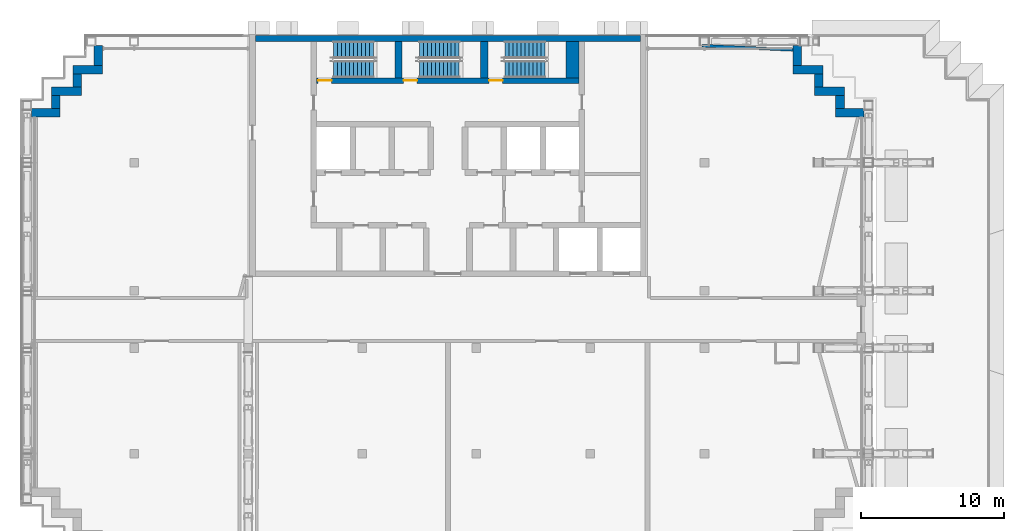
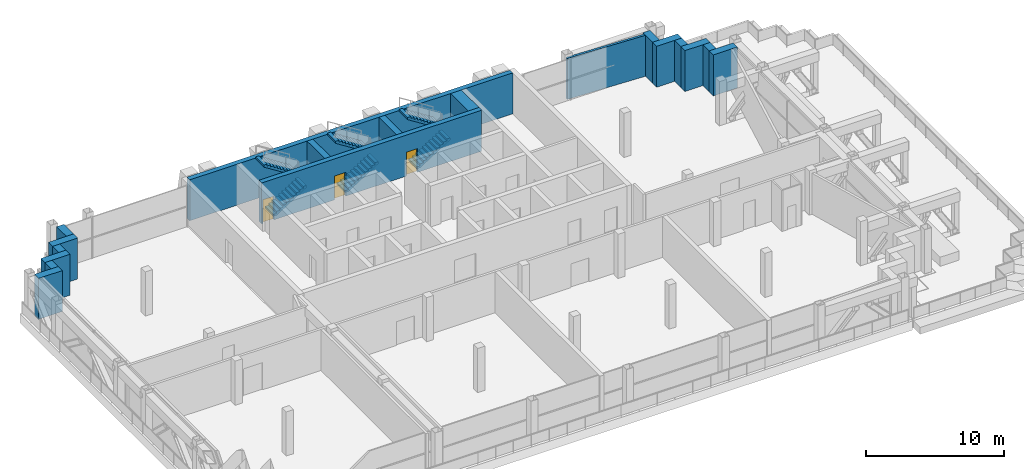
# One storey, part 9 of 21: 18 walls, 6 stair flights, 3 doors, 3 openings, 3 elements without a shape of their own.
"""IFC4 building model written with IfcOpenShell, lengths in metres."""

from ifc_helpers import new_model, si_unit, direction, frame, frame_2d, origin, place, context, subcontext, project, spatial, polyline, rectangle, outline, extrude, material, layer, layer_set, type_object, element, fill, aggregate, save


model = new_model("IFC4")

# Units and contexts
model_context = context("Model", 3, precision=1e-05, world=origin(), true_north=direction((0.0, 1.0)))
body_context = subcontext(model_context, "Body", "Model", "MODEL_VIEW")
ifc_project = project(units=[si_unit("LENGTHUNIT", "METRE"), si_unit("AREAUNIT", "SQUARE_METRE"), si_unit("VOLUMEUNIT", "CUBIC_METRE"), si_unit("PLANEANGLEUNIT", "RADIAN"), si_unit("MASSUNIT", "GRAM", prefix="KILO")], contexts=[model_context])

# Site, building, storey
site_placement = place(None, origin())
site = spatial("IfcSite", under=ifc_project, at=site_placement, CompositionType="ELEMENT")
building_placement = place(site_placement, origin())
building = spatial("IfcBuilding", under=site, at=building_placement, Name="Vidyagriha Tower", CompositionType="ELEMENT")
storey_placement = place(building_placement, frame((0.0, 0.0, 203.699951171875)))
storey = spatial("IfcBuildingStorey", under=building, at=storey_placement, Name="L52", CompositionType="ELEMENT", Elevation=203.699951171875)

# Walls
ifc_material_1 = material(Name="Precast concrete C40/50 with brick facing", Category="concrete")
ifc_layer_1 = layer(ifc_material_1, 0.60009765625)
ifc_layer_set_1 = layer_set([ifc_layer_1], Name="Precast concrete C40/50 with brick facing")
wall_type_1 = type_object("IfcWallType", Name="Brick-faced precast wall 600", PredefinedType="STANDARD", material=ifc_layer_set_1)
wall_1_placement = place(storey_placement, frame((29.199951171875, 14.5, 0.0), z_axis=(0.0, 0.0, 1.0), x_axis=(-1.0, 0.0, 0.0)))
element("IfcWall", 1, at=wall_1_placement, inside=storey, type_object=wall_type_1, Name="Stepped corner wall L52 R01", PredefinedType="STANDARD", context=body_context, shape_type="SweptSolid", body=[
    extrude(rectangle(XDim=2.0, YDim=0.60009765625, at=frame_2d((1.0, 0.0))), origin(), (0.0, 0.0, 1.0), 3.6201171875),
])
wall_2_placement = place(storey_placement, frame((27.5, 14.800048828125, 0.0), z_axis=(0.0, 0.0, 1.0), x_axis=(0.0, 1.0, 0.0)))
element("IfcWall", 2, at=wall_2_placement, inside=storey, type_object=wall_type_1, Name="Stepped corner wall L52 R02", PredefinedType="STANDARD", context=body_context, shape_type="SweptSolid", body=[
    extrude(rectangle(XDim=0.89990234375, YDim=0.60009765625, at=frame_2d((0.449951171875, 0.0))), origin(), (0.0, 0.0, 1.0), 3.6201171875),
])
wall_3_placement = place(storey_placement, frame((27.800048828125, 16.0, 0.0), z_axis=(0.0, 0.0, 1.0), x_axis=(-1.0, 0.0, 0.0)))
element("IfcWall", 3, at=wall_3_placement, inside=storey, type_object=wall_type_1, Name="Stepped corner wall L52 R03", PredefinedType="STANDARD", context=body_context, shape_type="SweptSolid", body=[
    extrude(rectangle(XDim=2.10009765625, YDim=0.60009765625, at=frame_2d((1.050048828125, 0.0))), origin(), (0.0, 0.0, 1.0), 3.6201171875),
])
wall_4_placement = place(storey_placement, frame((26.0, 16.300048828125, 0.0), z_axis=(0.0, 0.0, 1.0), x_axis=(0.0, 1.0, 0.0)))
element("IfcWall", 4, at=wall_4_placement, inside=storey, type_object=wall_type_1, Name="Stepped corner wall L52 R04", PredefinedType="STANDARD", context=body_context, shape_type="SweptSolid", body=[
    extrude(rectangle(XDim=0.89990234375, YDim=0.60009765625, at=frame_2d((0.449951171875, 0.0))), origin(), (0.0, 0.0, 1.0), 3.6201171875),
])
wall_5_placement = place(storey_placement, frame((26.300048828125, 17.5, 0.0), z_axis=(0.0, 0.0, 1.0), x_axis=(-1.0, 0.0, 0.0)))
element("IfcWall", 5, at=wall_5_placement, inside=storey, type_object=wall_type_1, Name="Stepped corner wall L52 R05", PredefinedType="STANDARD", context=body_context, shape_type="SweptSolid", body=[
    extrude(rectangle(XDim=2.10009765625, YDim=0.60009765625, at=frame_2d((1.050048828125, 0.0))), origin(), (0.0, 0.0, 1.0), 3.6201171875),
])
for number, where, z_axis, x_axis, name in (
    (6, (24.5, 17.800048828125, 0.0), (0.0, 0.0, 1.0), (0.0, 1.0, 0.0), "Stepped corner wall L52 R06"),
    (7, (-24.5, 19.199951171875, 0.0), (0.0, 0.0, 1.0), (0.0, -1.0, 0.0), "Stepped corner wall L52 R10"),
):
    element("IfcWall", number, at=place(storey_placement, frame(where, z_axis=z_axis, x_axis=x_axis)), inside=storey, type_object=wall_type_1, Name=name, PredefinedType="STANDARD", context=body_context, shape_type="SweptSolid", body=[
        extrude(rectangle(XDim=1.39990234375, YDim=0.60009765625, at=frame_2d((0.699951171875, 0.0))), origin(), (0.0, 0.0, 1.0), 3.6201171875),
    ])
wall_6_placement = place(storey_placement, frame((-24.199951171875, 17.5, 0.0), z_axis=(0.0, 0.0, 1.0), x_axis=(-1.0, 0.0, 0.0)))
element("IfcWall", 8, at=wall_6_placement, inside=storey, type_object=wall_type_1, Name="Stepped corner wall L52 R11", PredefinedType="STANDARD", context=body_context, shape_type="SweptSolid", body=[
    extrude(rectangle(XDim=2.10009765625, YDim=0.60009765625, at=frame_2d((1.050048828125, 0.0))), origin(), (0.0, 0.0, 1.0), 3.6201171875),
])
wall_7_placement = place(storey_placement, frame((-26.0, 17.199951171875, 0.0), z_axis=(0.0, 0.0, 1.0), x_axis=(0.0, -1.0, 0.0)))
element("IfcWall", 9, at=wall_7_placement, inside=storey, type_object=wall_type_1, Name="Stepped corner wall L52 R12", PredefinedType="STANDARD", context=body_context, shape_type="SweptSolid", body=[
    extrude(rectangle(XDim=0.89990234375, YDim=0.60009765625, at=frame_2d((0.449951171875, 0.0))), origin(), (0.0, 0.0, 1.0), 3.6201171875),
])
wall_8_placement = place(storey_placement, frame((-25.699951171875, 16.0, 0.0), z_axis=(0.0, 0.0, 1.0), x_axis=(-1.0, 0.0, 0.0)))
element("IfcWall", 10, at=wall_8_placement, inside=storey, type_object=wall_type_1, Name="Stepped corner wall L52 R13", PredefinedType="STANDARD", context=body_context, shape_type="SweptSolid", body=[
    extrude(rectangle(XDim=2.10009765625, YDim=0.60009765625, at=frame_2d((1.050048828125, 0.0))), origin(), (0.0, 0.0, 1.0), 3.6201171875),
])
wall_9_placement = place(storey_placement, frame((-27.5, 15.699951171875, 0.0), z_axis=(0.0, 0.0, 1.0), x_axis=(0.0, -1.0, 0.0)))
element("IfcWall", 11, at=wall_9_placement, inside=storey, type_object=wall_type_1, Name="Stepped corner wall L52 R14", PredefinedType="STANDARD", context=body_context, shape_type="SweptSolid", body=[
    extrude(rectangle(XDim=0.89990234375, YDim=0.60009765625, at=frame_2d((0.449951171875, 0.0))), origin(), (0.0, 0.0, 1.0), 3.6201171875),
])
wall_10_placement = place(storey_placement, frame((-27.199951171875, 14.5, 0.0), z_axis=(0.0, 0.0, 1.0), x_axis=(-1.0, 0.0, 0.0)))
element("IfcWall", 12, at=wall_10_placement, inside=storey, type_object=wall_type_1, Name="Stepped corner wall L52 R15", PredefinedType="STANDARD", context=body_context, shape_type="SweptSolid", body=[
    extrude(rectangle(XDim=2.0, YDim=0.60009765625, at=frame_2d((1.0, 0.0))), origin(), (0.0, 0.0, 1.0), 3.6201171875),
])
ifc_material_2 = material(Name="Concrete C60/75", Category="concrete")
ifc_layer_2 = layer(ifc_material_2, 0.39990234375)
ifc_layer_set_2 = layer_set([ifc_layer_2], Name="Concrete C60/75")
wall_type_2 = type_object("IfcWallType", Name="Core shear wall 400 mm", PredefinedType="SHEAR", material=ifc_layer_set_2)
wall_11_placement = place(storey_placement, frame((-13.5, 19.699951171875, 0.0)))
element("IfcWall", 13, at=wall_11_placement, inside=storey, type_object=wall_type_2, Name="Core north wall", PredefinedType="SHEAR", context=body_context, shape_type="SweptSolid", body=[
    extrude(rectangle(XDim=27.0, YDim=0.39990234375, at=frame_2d((13.5, 0.0))), origin(), (0.0, 0.0, 1.0), 3.6201171875),
])

# Wall, openings, doors
wall_12_placement = place(storey_placement, frame((-9.199951171875, 16.75, 0.0)))
wall_12 = element("IfcWall", 14, at=wall_12_placement, inside=storey, type_object=wall_type_2, Name="Stair front wall", PredefinedType="SHEAR", context=body_context, shape_type="SweptSolid", body=[
    extrude(rectangle(XDim=18.39990234375, YDim=0.39990234375, at=frame_2d((9.199951171875, 0.0))), origin(), (0.0, 0.0, 1.0), 3.6201171875),
])
opening_1_placement = place(wall_12_placement, frame((0.10009765625, 0.0, 0.0)))
opening_1 = element("IfcOpeningElement", 15, at=opening_1_placement, cuts=wall_12, Name="Opening D52-11", PredefinedType="OPENING", context=body_context, shape_type="SweptSolid", body=[
    extrude(rectangle(XDim=0.949951171875, YDim=2.10009765625, at=frame_2d((0.47509765625, 1.050048828125))), frame((0.0, 0.2099609375, 0.0), z_axis=(0.0, -1.0, 0.0), x_axis=(1.0, 0.0, 0.0)), (0.0, 0.0, 1.0), 0.419921875),
])
opening_2_placement = place(wall_12_placement, frame((6.10009765625, 0.0, 0.0)))
opening_2 = element("IfcOpeningElement", 16, at=opening_2_placement, cuts=wall_12, Name="Opening D52-12", PredefinedType="OPENING", context=body_context, shape_type="SweptSolid", body=[
    extrude(rectangle(XDim=0.949951171875, YDim=2.10009765625, at=frame_2d((0.47509765625, 1.050048828125))), frame((0.0, 0.2099609375, 0.0), z_axis=(0.0, -1.0, 0.0), x_axis=(1.0, 0.0, 0.0)), (0.0, 0.0, 1.0), 0.419921875),
])
opening_3_placement = place(wall_12_placement, frame((12.10009765625, 0.0, 0.0)))
opening_3 = element("IfcOpeningElement", 17, at=opening_3_placement, cuts=wall_12, Name="Opening D52-13", PredefinedType="OPENING", context=body_context, shape_type="SweptSolid", body=[
    extrude(rectangle(XDim=0.949951171875, YDim=2.10009765625, at=frame_2d((0.47509765625, 1.050048828125))), frame((0.0, 0.2099609375, 0.0), z_axis=(0.0, -1.0, 0.0), x_axis=(1.0, 0.0, 0.0)), (0.0, 0.0, 1.0), 0.419921875),
])
ifc_material_3 = material(Name="Hollow metal door leaf")
door_type = type_object("IfcDoorType", Name="Exit stair door 950 x 2100 mm EI 90", OperationType="NOTDEFINED", PredefinedType="DOOR", material=ifc_material_3)
door_1_placement = place(opening_1_placement, origin())
door_1 = element("IfcDoor", 18, at=door_1_placement, inside=storey, type_object=door_type, Name="Stair door ST1 L52", OperationType="SINGLE_SWING_LEFT", OverallHeight=2.10009765625, OverallWidth=0.949951171875, PredefinedType="DOOR", context=body_context, shape_type="SweptSolid", body=[
    extrude(rectangle(XDim=0.949951171875, YDim=2.10009765625, at=frame_2d((0.47509765625, 1.050048828125))), frame((0.0, 0.02490234375, 0.0), z_axis=(0.0, -1.0, 0.0), x_axis=(1.0, 0.0, 0.0)), (0.0, 0.0, 1.0), 0.050048828125),
])
fill(opening_1, door_1)
door_2_placement = place(opening_2_placement, origin())
door_2 = element("IfcDoor", 19, at=door_2_placement, inside=storey, type_object=door_type, Name="Stair door ST2 L52", OperationType="SINGLE_SWING_LEFT", OverallHeight=2.10009765625, OverallWidth=0.949951171875, PredefinedType="DOOR", context=body_context, shape_type="SweptSolid", body=[
    extrude(rectangle(XDim=0.949951171875, YDim=2.10009765625, at=frame_2d((0.47509765625, 1.050048828125))), frame((0.0, 0.02490234375, 0.0), z_axis=(0.0, -1.0, 0.0), x_axis=(1.0, 0.0, 0.0)), (0.0, 0.0, 1.0), 0.050048828125),
])
fill(opening_2, door_2)
door_3_placement = place(opening_3_placement, origin())
door_3 = element("IfcDoor", 20, at=door_3_placement, inside=storey, type_object=door_type, Name="Stair door ST3 L52", OperationType="SINGLE_SWING_LEFT", OverallHeight=2.10009765625, OverallWidth=0.949951171875, PredefinedType="DOOR", context=body_context, shape_type="SweptSolid", body=[
    extrude(rectangle(XDim=0.949951171875, YDim=2.10009765625, at=frame_2d((0.47509765625, 1.050048828125))), frame((0.0, 0.02490234375, 0.0), z_axis=(0.0, -1.0, 0.0), x_axis=(1.0, 0.0, 0.0)), (0.0, 0.0, 1.0), 0.050048828125),
])
fill(opening_3, door_3)

# Walls
ifc_material_4 = material(Name="Concrete C60/75", Category="concrete")
ifc_layer_3 = layer(ifc_material_4, 0.5)
ifc_layer_set_3 = layer_set([ifc_layer_3], Name="Concrete C60/75")
wall_type_3 = type_object("IfcWallType", Name="Core shear wall 500 mm", PredefinedType="SHEAR", material=ifc_layer_set_3)
for number, where, z_axis, x_axis, name in (
    (21, (-3.449951171875, 16.949951171875, 0.0), (0.0, 0.0, 1.0), (0.0, 1.0, 0.0), "Stair partition wall 1"),
    (22, (2.550048828125, 16.949951171875, 0.0), (0.0, 0.0, 1.0), (0.0, 1.0, 0.0), "Stair partition wall 2"),
):
    element("IfcWall", number, at=place(storey_placement, frame(where, z_axis=z_axis, x_axis=x_axis)), inside=storey, type_object=wall_type_3, Name=name, PredefinedType="SHEAR", context=body_context, shape_type="SweptSolid", body=[
        extrude(rectangle(XDim=2.550048828125, YDim=0.5, at=frame_2d((1.27490234375, 0.0))), origin(), (0.0, 0.0, 1.0), 3.6201171875),
    ])
ifc_material_5 = material(Name="Concrete C60/75", Category="concrete")
ifc_layer_4 = layer(ifc_material_5, 0.89990234375)
ifc_layer_set_4 = layer_set([ifc_layer_4], Name="Concrete C60/75")
wall_type_4 = type_object("IfcWallType", Name="Core shear wall 900 mm", PredefinedType="SHEAR", material=ifc_layer_set_4)
wall_13_placement = place(storey_placement, frame((8.75, 16.949951171875, 0.0), z_axis=(0.0, 0.0, 1.0), x_axis=(0.0, 1.0, 0.0)))
element("IfcWall", 23, at=wall_13_placement, inside=storey, type_object=wall_type_4, Name="Stair end wall", PredefinedType="SHEAR", context=body_context, shape_type="SweptSolid", body=[
    extrude(rectangle(XDim=2.550048828125, YDim=0.89990234375, at=frame_2d((1.27490234375, 0.0))), origin(), (0.0, 0.0, 1.0), 3.6201171875),
])
ifc_material_6 = material(Name="Blockwork 15 MPa", Category="masonry")
ifc_layer_5 = layer(ifc_material_6, 0.199951171875)
ifc_layer_set_5 = layer_set([ifc_layer_5], Name="Blockwork 15 MPa")
wall_type_5 = type_object("IfcWallType", Name="Service room partition 200 mm", PredefinedType="PARTITIONING", material=ifc_layer_set_5)
wall_14_placement = place(storey_placement, frame((17.830078125, 19.199951171875, 0.0), z_axis=(0.0, 0.0, 1.0), x_axis=(0.998917891642, -0.046508555735, 0.0)))
element("IfcWall", 24, at=wall_14_placement, inside=storey, type_object=wall_type_5, Name="Plant room wall", PredefinedType="PARTITIONING", context=body_context, shape_type="SweptSolid", body=[
    extrude(rectangle(XDim=6.367431640625, YDim=0.199951171875, at=frame_2d((3.18359375, 0.0))), origin(), (0.0, 0.0, 1.0), 3.6201171875),
])

# Stair, stair flights
ifc_material_7 = material(Name="Concrete C40/50", Category="concrete")
stair_type = type_object("IfcStairType", Name="Exit stair, half-turn, precast flights", PredefinedType="HALF_TURN_STAIR", material=ifc_material_7)
stair_1_placement = place(storey_placement, origin())
stair_1 = element("IfcStair", 25, at=stair_1_placement, inside=storey, type_object=stair_type, Name="L52 Exit Stair ST1", PredefinedType="HALF_TURN_STAIR")
ifc_material_8 = material(Name="Precast concrete C40/50", Category="concrete")
stair_flight_type = type_object("IfcStairFlightType", Name="Exit stair flight 1200 mm, precast", PredefinedType="STRAIGHT", material=ifc_material_8)
stair_flight_1_placement = place(storey_placement, frame((-8.0, 17.550048828125, 0.0)))
stair_flight_1 = element("IfcStairFlight", 26, at=stair_flight_1_placement, type_object=stair_flight_type, Name="ST1 flight 1", NumberOfRisers=11, NumberOfTreads=10, PredefinedType="STRAIGHT", RiserHeight=0.177272727, TreadLength=0.28, context=body_context, shape_type="SweptSolid", body=[
    extrude(outline(polyline([(0.0, 0.0), (0.0, 0.17724609375), (0.280029296875, 0.17724609375), (0.280029296875, 0.3544921875), (0.56005859375, 0.3544921875), (0.56005859375, 0.53173828125), (0.840087890625, 0.53173828125), (0.840087890625, 0.708984375), (1.1201171875, 0.708984375), (1.1201171875, 0.886474609375), (1.39990234375, 0.886474609375), (1.39990234375, 1.063720703125), (1.679931640625, 1.063720703125), (1.679931640625, 1.240966796875), (1.9599609375, 1.240966796875), (1.9599609375, 1.418212890625), (2.239990234375, 1.418212890625), (2.239990234375, 1.595458984375), (2.52001953125, 1.595458984375), (2.52001953125, 1.772705078125), (2.800048828125, 1.772705078125), (2.800048828125, 1.949951171875), (2.800048828125, 1.59521484375), (0.2802734375, 0.0), (0.0, 0.0)])), frame((0.0, 0.60009765625, 0.0), z_axis=(0.0, -1.0, 0.0), x_axis=(1.0, 0.0, 0.0)), (0.0, 0.0, 1.0), 1.199951171875),
])
stair_flight_2_placement = place(storey_placement, frame((-5.199951171875, 18.89990234375, 1.949951171875), z_axis=(0.0, 0.0, 1.0), x_axis=(-1.0, 0.0, 0.0)))
stair_flight_2 = element("IfcStairFlight", 27, at=stair_flight_2_placement, type_object=stair_flight_type, Name="ST1 flight 2", NumberOfRisers=11, NumberOfTreads=10, PredefinedType="STRAIGHT", RiserHeight=0.177272727, TreadLength=0.28, context=body_context, shape_type="SweptSolid", body=[
    extrude(outline(polyline([(0.0, 0.0), (0.0, 0.17724609375), (0.280029296875, 0.17724609375), (0.280029296875, 0.3544921875), (0.56005859375, 0.3544921875), (0.56005859375, 0.53173828125), (0.840087890625, 0.53173828125), (0.840087890625, 0.708984375), (1.1201171875, 0.708984375), (1.1201171875, 0.886474609375), (1.39990234375, 0.886474609375), (1.39990234375, 1.063720703125), (1.679931640625, 1.063720703125), (1.679931640625, 1.240966796875), (1.9599609375, 1.240966796875), (1.9599609375, 1.418212890625), (2.239990234375, 1.418212890625), (2.239990234375, 1.595458984375), (2.52001953125, 1.595458984375), (2.52001953125, 1.772705078125), (2.800048828125, 1.772705078125), (2.800048828125, 1.949951171875), (2.800048828125, 1.59521484375), (0.2802734375, 0.0), (0.0, 0.0)])), frame((0.0, 0.60009765625, 0.0), z_axis=(0.0, -1.0, 0.0), x_axis=(1.0, 0.0, 0.0)), (0.0, 0.0, 1.0), 1.199951171875),
])
aggregate(stair_1, [stair_flight_1, stair_flight_2])

stair_2_placement = place(storey_placement, origin())
stair_2 = element("IfcStair", 28, at=stair_2_placement, inside=storey, type_object=stair_type, Name="L52 Exit Stair ST2", PredefinedType="HALF_TURN_STAIR")
stair_flight_3_placement = place(storey_placement, frame((-2.0, 17.550048828125, 0.0)))
stair_flight_3 = element("IfcStairFlight", 29, at=stair_flight_3_placement, type_object=stair_flight_type, Name="ST2 flight 1", NumberOfRisers=11, NumberOfTreads=10, PredefinedType="STRAIGHT", RiserHeight=0.177272727, TreadLength=0.28, context=body_context, shape_type="SweptSolid", body=[
    extrude(outline(polyline([(0.0, 0.0), (0.0, 0.17724609375), (0.280029296875, 0.17724609375), (0.280029296875, 0.3544921875), (0.56005859375, 0.3544921875), (0.56005859375, 0.53173828125), (0.840087890625, 0.53173828125), (0.840087890625, 0.708984375), (1.1201171875, 0.708984375), (1.1201171875, 0.886474609375), (1.39990234375, 0.886474609375), (1.39990234375, 1.063720703125), (1.679931640625, 1.063720703125), (1.679931640625, 1.240966796875), (1.9599609375, 1.240966796875), (1.9599609375, 1.418212890625), (2.239990234375, 1.418212890625), (2.239990234375, 1.595458984375), (2.52001953125, 1.595458984375), (2.52001953125, 1.772705078125), (2.800048828125, 1.772705078125), (2.800048828125, 1.949951171875), (2.800048828125, 1.59521484375), (0.2802734375, 0.0), (0.0, 0.0)])), frame((0.0, 0.60009765625, 0.0), z_axis=(0.0, -1.0, 0.0), x_axis=(1.0, 0.0, 0.0)), (0.0, 0.0, 1.0), 1.199951171875),
])
stair_flight_4_placement = place(storey_placement, frame((0.800048828125, 18.89990234375, 1.949951171875), z_axis=(0.0, 0.0, 1.0), x_axis=(-1.0, 0.0, 0.0)))
stair_flight_4 = element("IfcStairFlight", 30, at=stair_flight_4_placement, type_object=stair_flight_type, Name="ST2 flight 2", NumberOfRisers=11, NumberOfTreads=10, PredefinedType="STRAIGHT", RiserHeight=0.177272727, TreadLength=0.28, context=body_context, shape_type="SweptSolid", body=[
    extrude(outline(polyline([(0.0, 0.0), (0.0, 0.17724609375), (0.280029296875, 0.17724609375), (0.280029296875, 0.3544921875), (0.56005859375, 0.3544921875), (0.56005859375, 0.53173828125), (0.840087890625, 0.53173828125), (0.840087890625, 0.708984375), (1.1201171875, 0.708984375), (1.1201171875, 0.886474609375), (1.39990234375, 0.886474609375), (1.39990234375, 1.063720703125), (1.679931640625, 1.063720703125), (1.679931640625, 1.240966796875), (1.9599609375, 1.240966796875), (1.9599609375, 1.418212890625), (2.239990234375, 1.418212890625), (2.239990234375, 1.595458984375), (2.52001953125, 1.595458984375), (2.52001953125, 1.772705078125), (2.800048828125, 1.772705078125), (2.800048828125, 1.949951171875), (2.800048828125, 1.59521484375), (0.2802734375, 0.0), (0.0, 0.0)])), frame((0.0, 0.60009765625, 0.0), z_axis=(0.0, -1.0, 0.0), x_axis=(1.0, 0.0, 0.0)), (0.0, 0.0, 1.0), 1.199951171875),
])
aggregate(stair_2, [stair_flight_3, stair_flight_4])

stair_3_placement = place(storey_placement, origin())
stair_3 = element("IfcStair", 31, at=stair_3_placement, inside=storey, type_object=stair_type, Name="L52 Exit Stair ST3", PredefinedType="HALF_TURN_STAIR")
stair_flight_5_placement = place(storey_placement, frame((4.0, 17.550048828125, 0.0)))
stair_flight_5 = element("IfcStairFlight", 32, at=stair_flight_5_placement, type_object=stair_flight_type, Name="ST3 flight 1", NumberOfRisers=11, NumberOfTreads=10, PredefinedType="STRAIGHT", RiserHeight=0.177272727, TreadLength=0.28, context=body_context, shape_type="SweptSolid", body=[
    extrude(outline(polyline([(0.0, 0.0), (0.0, 0.17724609375), (0.280029296875, 0.17724609375), (0.280029296875, 0.3544921875), (0.56005859375, 0.3544921875), (0.56005859375, 0.53173828125), (0.840087890625, 0.53173828125), (0.840087890625, 0.708984375), (1.1201171875, 0.708984375), (1.1201171875, 0.886474609375), (1.39990234375, 0.886474609375), (1.39990234375, 1.063720703125), (1.679931640625, 1.063720703125), (1.679931640625, 1.240966796875), (1.9599609375, 1.240966796875), (1.9599609375, 1.418212890625), (2.239990234375, 1.418212890625), (2.239990234375, 1.595458984375), (2.52001953125, 1.595458984375), (2.52001953125, 1.772705078125), (2.800048828125, 1.772705078125), (2.800048828125, 1.949951171875), (2.800048828125, 1.59521484375), (0.2802734375, 0.0), (0.0, 0.0)])), frame((0.0, 0.60009765625, 0.0), z_axis=(0.0, -1.0, 0.0), x_axis=(1.0, 0.0, 0.0)), (0.0, 0.0, 1.0), 1.199951171875),
])
stair_flight_6_placement = place(storey_placement, frame((6.800048828125, 18.89990234375, 1.949951171875), z_axis=(0.0, 0.0, 1.0), x_axis=(-1.0, 0.0, 0.0)))
stair_flight_6 = element("IfcStairFlight", 33, at=stair_flight_6_placement, type_object=stair_flight_type, Name="ST3 flight 2", NumberOfRisers=11, NumberOfTreads=10, PredefinedType="STRAIGHT", RiserHeight=0.177272727, TreadLength=0.28, context=body_context, shape_type="SweptSolid", body=[
    extrude(outline(polyline([(0.0, 0.0), (0.0, 0.17724609375), (0.280029296875, 0.17724609375), (0.280029296875, 0.3544921875), (0.56005859375, 0.3544921875), (0.56005859375, 0.53173828125), (0.840087890625, 0.53173828125), (0.840087890625, 0.708984375), (1.1201171875, 0.708984375), (1.1201171875, 0.886474609375), (1.39990234375, 0.886474609375), (1.39990234375, 1.063720703125), (1.679931640625, 1.063720703125), (1.679931640625, 1.240966796875), (1.9599609375, 1.240966796875), (1.9599609375, 1.418212890625), (2.239990234375, 1.418212890625), (2.239990234375, 1.595458984375), (2.52001953125, 1.595458984375), (2.52001953125, 1.772705078125), (2.800048828125, 1.772705078125), (2.800048828125, 1.949951171875), (2.800048828125, 1.59521484375), (0.2802734375, 0.0), (0.0, 0.0)])), frame((0.0, 0.60009765625, 0.0), z_axis=(0.0, -1.0, 0.0), x_axis=(1.0, 0.0, 0.0)), (0.0, 0.0, 1.0), 1.199951171875),
])
aggregate(stair_3, [stair_flight_5, stair_flight_6])

save(model, "model.ifc")
